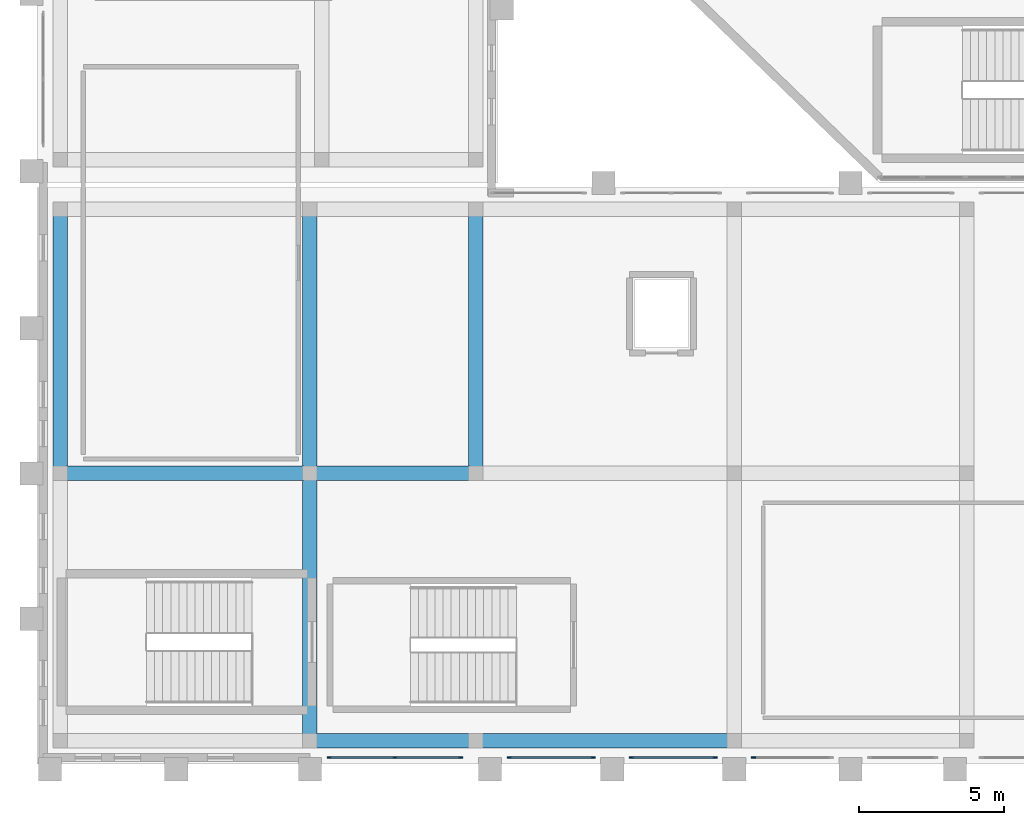
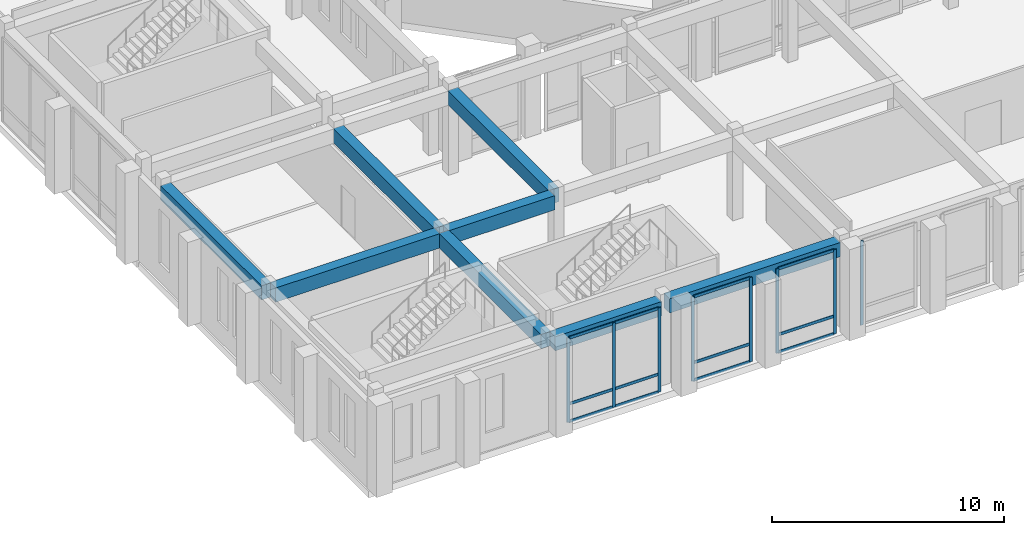
# One storey, part 3 of 79: 20 members, 8 beams, 4 elements without a shape of their own.
"""IFC4 building model written with IfcOpenShell, lengths in metres."""

from ifc_helpers import new_model, si_unit, derived_unit, direction, frame, origin, origin_2d, place, context, subcontext, project, spatial, rectangle, extrude, material, layer, layer_set, material_profile, profile_set, type_object, element, aggregate, save


model = new_model("IFC4")

# Units and contexts
model_context = context("Model", 3, precision=1e-05, world=origin(), true_north=direction((0.0, 1.0)))
body_context = subcontext(model_context, "Body", "Model", "MODEL_VIEW")
ifc_project = project(units=[si_unit("LENGTHUNIT", "METRE"), si_unit("AREAUNIT", "SQUARE_METRE"), si_unit("VOLUMEUNIT", "CUBIC_METRE"), si_unit("PLANEANGLEUNIT", "RADIAN"), si_unit("MASSUNIT", "GRAM", prefix="KILO"), derived_unit("THERMALTRANSMITTANCEUNIT", [(si_unit("MASSUNIT", "GRAM", prefix="KILO"), 1), (si_unit("TIMEUNIT", "SECOND"), -3), (si_unit("THERMODYNAMICTEMPERATUREUNIT", "KELVIN"), -1)])], contexts=[model_context])

# Site, building, storey
site_placement = place(None, origin())
site = spatial("IfcSite", under=ifc_project, at=site_placement, CompositionType="ELEMENT")
building_placement = place(site_placement, origin())
building = spatial("IfcBuilding", under=site, at=building_placement, Name="Valcora Ridge Arena", CompositionType="ELEMENT")
storey_placement = place(building_placement, frame((0.0, 0.0, 16.199951171875)))
storey = spatial("IfcBuildingStorey", under=building, at=storey_placement, Name="L03", CompositionType="ELEMENT", Elevation=16.199951171875)

# Beams
ifc_material_1 = material(Name="Concrete C40/50", Category="concrete")
ifc_material_profile_1 = material_profile(ifc_material_1, rectangle(XDim=0.5, YDim=0.75, at=origin_2d()), Name="RC 500x750")
ifc_profile_set_1 = profile_set([ifc_material_profile_1], Name="Concrete C40/50")
beam_type_1 = type_object("IfcBeamType", Name="TY-BEAM-B-RC500-X", PredefinedType="BEAM", material=ifc_profile_set_1)
beam_1_placement = place(storey_placement, frame((1.0, 10.0, 4.06494140625), z_axis=(1.0, 0.0, 0.0), x_axis=(0.0, 1.0, 0.0)))
element("IfcBeam", 1, at=beam_1_placement, inside=storey, type_object=beam_type_1, Name="B-RC500-X BEM-B-RC500-X-0075", PredefinedType="BEAM", context=body_context, shape_type="SweptSolid", body=[
    extrude(rectangle(XDim=0.5, YDim=0.75, at=origin_2d()), origin(), (0.0, 0.0, 1.0), 8.199951171875),
])
beam_2_placement = place(storey_placement, frame((9.60009765625, 10.0, 4.06494140625), z_axis=(1.0, 0.0, 0.0), x_axis=(0.0, 1.0, 0.0)))
element("IfcBeam", 2, at=beam_2_placement, inside=storey, type_object=beam_type_1, Name="B-RC500-X BEM-B-RC500-X-0076", PredefinedType="BEAM", context=body_context, shape_type="SweptSolid", body=[
    extrude(rectangle(XDim=0.5, YDim=0.75, at=origin_2d()), origin(), (0.0, 0.0, 1.0), 5.2998046875),
])
ifc_material_profile_2 = material_profile(ifc_material_1, rectangle(XDim=0.5, YDim=0.75, at=origin_2d()), Name="RC 500x750")
ifc_profile_set_2 = profile_set([ifc_material_profile_2], Name="Concrete C40/50")
beam_type_2 = type_object("IfcBeamType", Name="TY-BEAM-B-RC500-Y", PredefinedType="BEAM", material=ifc_profile_set_2)
beam_3_placement = place(storey_placement, frame((0.800048828125, 10.199951171875, 4.06494140625), z_axis=(0.0, 1.0, 0.0), x_axis=(-1.0, 0.0, 0.0)))
element("IfcBeam", 3, at=beam_3_placement, inside=storey, type_object=beam_type_2, Name="B-RC500-Y BEM-B-RC500-Y-0093", PredefinedType="BEAM", context=body_context, shape_type="SweptSolid", body=[
    extrude(rectangle(XDim=0.5, YDim=0.75, at=origin_2d()), origin(), (0.0, 0.0, 1.0), 8.699951171875),
])
beam_4_placement = place(storey_placement, frame((9.39990234375, 1.0, 4.06494140625), z_axis=(0.0, 1.0, 0.0), x_axis=(-1.0, 0.0, 0.0)))
element("IfcBeam", 4, at=beam_4_placement, inside=storey, type_object=beam_type_2, Name="B-RC500-Y BEM-B-RC500-Y-0096", PredefinedType="BEAM", context=body_context, shape_type="SweptSolid", body=[
    extrude(rectangle(XDim=0.5, YDim=0.75, at=origin_2d()), origin(), (0.0, 0.0, 1.0), 8.800048828125),
])
for number, where, z_axis, x_axis, name in (
    (5, (9.39990234375, 10.199951171875, 4.06494140625), (0.0, 1.0, 0.0), (-1.0, 0.0, 0.0), "B-RC500-Y BEM-B-RC500-Y-0097"),
    (6, (15.10009765625, 10.199951171875, 4.06494140625), (0.0, 1.0, 0.0), (-1.0, 0.0, 0.0), "B-RC500-Y BEM-B-RC500-Y-0100"),
):
    element("IfcBeam", number, at=place(storey_placement, frame(where, z_axis=z_axis, x_axis=x_axis)), inside=storey, type_object=beam_type_2, Name=name, PredefinedType="BEAM", context=body_context, shape_type="SweptSolid", body=[
        extrude(rectangle(XDim=0.5, YDim=0.75, at=origin_2d()), origin(), (0.0, 0.0, 1.0), 8.699951171875),
    ])
ifc_material_profile_3 = material_profile(ifc_material_1, rectangle(XDim=0.5, YDim=0.75, at=origin_2d()), Name="RC 500x750")
ifc_profile_set_3 = profile_set([ifc_material_profile_3], Name="Concrete C40/50")
beam_type_3 = type_object("IfcBeamType", Name="TY-BEAM-EB-RC500", PredefinedType="BEAM", material=ifc_profile_set_3)
beam_5_placement = place(storey_placement, frame((9.60009765625, 0.800048828125, 4.06494140625), z_axis=(1.0, 0.0, 0.0), x_axis=(0.0, 1.0, 0.0)))
element("IfcBeam", 7, at=beam_5_placement, inside=storey, type_object=beam_type_3, Name="EB-RC500 BEM-EB-RC500-0026", PredefinedType="BEAM", context=body_context, shape_type="SweptSolid", body=[
    extrude(rectangle(XDim=0.5, YDim=0.75, at=origin_2d()), origin(), (0.0, 0.0, 1.0), 5.2998046875),
])
beam_6_placement = place(storey_placement, frame((15.300048828125, 0.800048828125, 4.06494140625), z_axis=(1.0, 0.0, 0.0), x_axis=(0.0, 1.0, 0.0)))
element("IfcBeam", 8, at=beam_6_placement, inside=storey, type_object=beam_type_3, Name="EB-RC500 BEM-EB-RC500-0027", PredefinedType="BEAM", context=body_context, shape_type="SweptSolid", body=[
    extrude(rectangle(XDim=0.5, YDim=0.75, at=origin_2d()), origin(), (0.0, 0.0, 1.0), 8.5),
])

# Curtain wall, members
ifc_material_2 = material(Name="Anodised dark bronze architectural aluminium 6063-T6", Category="aluminium")
ifc_layer_1 = layer(ifc_material_2, 0.14990234375, Name="Anodised dark bronze architectural aluminium 6063-T6")
ifc_layer_set_1 = layer_set([ifc_layer_1], Name="Anodised dark bronze architectural aluminium 6063-T6")
curtain_wall_type_1 = type_object("IfcCurtainWallType", Name="TY-CURTAINWALL-CW-V4-CLUB-046X44", PredefinedType="NOTDEFINED", material=ifc_layer_set_1)
curtain_wall_1_placement = place(storey_placement, origin())
curtain_wall_1 = element("IfcCurtainWall", 9, at=curtain_wall_1_placement, inside=storey, type_object=curtain_wall_type_1, Name="CW-V4-CLUB-046X44 CW-0270", PredefinedType="NOTDEFINED")
ifc_material_profile_4 = material_profile(ifc_material_2, rectangle(XDim=0.050048828125, YDim=0.14990234375, at=origin_2d()), Name="ALU MULLION 50x150")
ifc_profile_set_4 = profile_set([ifc_material_profile_4], Name="Anodised dark bronze architectural aluminium 6063-T6")
member_type_1 = type_object("IfcMemberType", Name="TY-MEM-CWM-50x150", PredefinedType="MULLION", material=ifc_profile_set_4)
member_1_placement = place(storey_placement, frame((10.06494140625, 0.219970703125, 0.0), z_axis=(0.0, 0.0, 1.0), x_axis=(0.0, 1.0, 0.0)))
member_1 = element("IfcMember", 10, at=member_1_placement, type_object=member_type_1, Name="CW-0270/CWM-50x150/M00", PredefinedType="MULLION", context=body_context, shape_type="SweptSolid", body=[
    extrude(rectangle(XDim=0.050048828125, YDim=0.14990234375, at=origin_2d()), origin(), (0.0, 0.0, 1.0), 4.43994140625),
])
member_2_placement = place(storey_placement, frame((12.324951171875, 0.219970703125, 0.0), z_axis=(0.0, 0.0, 1.0), x_axis=(0.0, 1.0, 0.0)))
member_2 = element("IfcMember", 11, at=member_2_placement, type_object=member_type_1, Name="CW-0270/CWM-50x150/M01", PredefinedType="MULLION", context=body_context, shape_type="SweptSolid", body=[
    extrude(rectangle(XDim=0.050048828125, YDim=0.14990234375, at=origin_2d()), origin(), (0.0, 0.0, 1.0), 4.43994140625),
])
member_3_placement = place(storey_placement, frame((14.5849609375, 0.219970703125, 0.0), z_axis=(0.0, 0.0, 1.0), x_axis=(0.0, 1.0, 0.0)))
member_3 = element("IfcMember", 12, at=member_3_placement, type_object=member_type_1, Name="CW-0270/CWM-50x150/M02", PredefinedType="MULLION", context=body_context, shape_type="SweptSolid", body=[
    extrude(rectangle(XDim=0.050048828125, YDim=0.14990234375, at=origin_2d()), origin(), (0.0, 0.0, 1.0), 4.43994140625),
])

ifc_layer_2 = layer(ifc_material_2, 0.14990234375, Name="Anodised dark bronze architectural aluminium 6063-T6")
ifc_layer_set_2 = layer_set([ifc_layer_2], Name="Anodised dark bronze architectural aluminium 6063-T6")
curtain_wall_type_2 = type_object("IfcCurtainWallType", Name="TY-CURTAINWALL-CW-V4-CLUB-029X44", PredefinedType="NOTDEFINED", material=ifc_layer_set_2)
curtain_wall_2_placement = place(storey_placement, origin())
curtain_wall_2 = element("IfcCurtainWall", 13, at=curtain_wall_2_placement, inside=storey, type_object=curtain_wall_type_2, Name="CW-V4-CLUB-029X44 CW-0271", PredefinedType="NOTDEFINED")
member_4_placement = place(storey_placement, frame((16.264892578125, 0.219970703125, 0.0), z_axis=(0.0, 0.0, 1.0), x_axis=(0.0, 1.0, 0.0)))
member_4 = element("IfcMember", 14, at=member_4_placement, type_object=member_type_1, Name="CW-0271/CWM-50x150/M00", PredefinedType="MULLION", context=body_context, shape_type="SweptSolid", body=[
    extrude(rectangle(XDim=0.050048828125, YDim=0.14990234375, at=origin_2d()), origin(), (0.0, 0.0, 1.0), 4.43994140625),
])
member_5_placement = place(storey_placement, frame((19.135009765625, 0.219970703125, 0.0), z_axis=(0.0, 0.0, 1.0), x_axis=(0.0, 1.0, 0.0)))
member_5 = element("IfcMember", 15, at=member_5_placement, type_object=member_type_1, Name="CW-0271/CWM-50x150/M01", PredefinedType="MULLION", context=body_context, shape_type="SweptSolid", body=[
    extrude(rectangle(XDim=0.050048828125, YDim=0.14990234375, at=origin_2d()), origin(), (0.0, 0.0, 1.0), 4.43994140625),
])

curtain_wall_3_placement = place(storey_placement, origin())
curtain_wall_3 = element("IfcCurtainWall", 16, at=curtain_wall_3_placement, inside=storey, type_object=curtain_wall_type_2, Name="CW-V4-CLUB-029X44 CW-0272", PredefinedType="NOTDEFINED")
member_6_placement = place(storey_placement, frame((20.465087890625, 0.219970703125, 0.0), z_axis=(0.0, 0.0, 1.0), x_axis=(0.0, 1.0, 0.0)))
member_6 = element("IfcMember", 17, at=member_6_placement, type_object=member_type_1, Name="CW-0272/CWM-50x150/M00", PredefinedType="MULLION", context=body_context, shape_type="SweptSolid", body=[
    extrude(rectangle(XDim=0.050048828125, YDim=0.14990234375, at=origin_2d()), origin(), (0.0, 0.0, 1.0), 4.43994140625),
])
member_7_placement = place(storey_placement, frame((23.3349609375, 0.219970703125, 0.0), z_axis=(0.0, 0.0, 1.0), x_axis=(0.0, 1.0, 0.0)))
member_7 = element("IfcMember", 18, at=member_7_placement, type_object=member_type_1, Name="CW-0272/CWM-50x150/M01", PredefinedType="MULLION", context=body_context, shape_type="SweptSolid", body=[
    extrude(rectangle(XDim=0.050048828125, YDim=0.14990234375, at=origin_2d()), origin(), (0.0, 0.0, 1.0), 4.43994140625),
])

# Curtain wall, member
ifc_layer_3 = layer(ifc_material_2, 0.14990234375, Name="Anodised dark bronze architectural aluminium 6063-T6")
ifc_layer_set_3 = layer_set([ifc_layer_3], Name="Anodised dark bronze architectural aluminium 6063-T6")
curtain_wall_type_3 = type_object("IfcCurtainWallType", Name="TY-CURTAINWALL-CW-V4-CLUB-027X44", PredefinedType="NOTDEFINED", material=ifc_layer_set_3)
curtain_wall_4_placement = place(storey_placement, origin())
curtain_wall_4 = element("IfcCurtainWall", 19, at=curtain_wall_4_placement, inside=storey, type_object=curtain_wall_type_3, Name="CW-V4-CLUB-027X44 CW-0273", PredefinedType="NOTDEFINED")
member_8_placement = place(storey_placement, frame((24.6650390625, 0.219970703125, 0.0), z_axis=(0.0, 0.0, 1.0), x_axis=(0.0, 1.0, 0.0)))
member_8 = element("IfcMember", 20, at=member_8_placement, type_object=member_type_1, Name="CW-0273/CWM-50x150/M00", PredefinedType="MULLION", context=body_context, shape_type="SweptSolid", body=[
    extrude(rectangle(XDim=0.050048828125, YDim=0.14990234375, at=origin_2d()), origin(), (0.0, 0.0, 1.0), 4.43994140625),
])
aggregate(curtain_wall_4, [member_8])

# Member
ifc_material_profile_5 = material_profile(ifc_material_2, rectangle(XDim=0.050048828125, YDim=0.14990234375, at=origin_2d()), Name="ALU TRANSOM 50x150")
ifc_profile_set_5 = profile_set([ifc_material_profile_5], Name="Anodised dark bronze architectural aluminium 6063-T6")
member_type_2 = type_object("IfcMemberType", Name="TY-MEM-CWT-50x150", PredefinedType="USERDEFINED", material=ifc_profile_set_5)
member_9_placement = place(storey_placement, frame((10.090087890625, 0.219970703125, 0.025146484375), z_axis=(1.0, 0.0, 0.0), x_axis=(0.0, 1.0, 0.0)))
member_9 = element("IfcMember", 21, at=member_9_placement, type_object=member_type_2, Name="CW-0270/CWT-50x150/T00-00", ObjectType="TRANSOM", PredefinedType="USERDEFINED", context=body_context, shape_type="SweptSolid", body=[
    extrude(rectangle(XDim=0.050048828125, YDim=0.14990234375, at=origin_2d()), origin(), (0.0, 0.0, 1.0), 2.2099609375),
])

member_10_placement = place(storey_placement, frame((10.090087890625, 0.219970703125, 0.949951171875), z_axis=(1.0, 0.0, 0.0), x_axis=(0.0, 1.0, 0.0)))
member_10 = element("IfcMember", 22, at=member_10_placement, type_object=member_type_2, Name="CW-0270/CWT-50x150/T00-01", ObjectType="TRANSOM", PredefinedType="USERDEFINED", context=body_context, shape_type="SweptSolid", body=[
    extrude(rectangle(XDim=0.050048828125, YDim=0.14990234375, at=origin_2d()), origin(), (0.0, 0.0, 1.0), 2.2099609375),
])

member_11_placement = place(storey_placement, frame((10.090087890625, 0.219970703125, 4.4150390625), z_axis=(1.0, 0.0, 0.0), x_axis=(0.0, 1.0, 0.0)))
member_11 = element("IfcMember", 23, at=member_11_placement, type_object=member_type_2, Name="CW-0270/CWT-50x150/T00-02", ObjectType="TRANSOM", PredefinedType="USERDEFINED", context=body_context, shape_type="SweptSolid", body=[
    extrude(rectangle(XDim=0.050048828125, YDim=0.14990234375, at=origin_2d()), origin(), (0.0, 0.0, 1.0), 2.2099609375),
])

member_12_placement = place(storey_placement, frame((12.35009765625, 0.219970703125, 0.025146484375), z_axis=(1.0, 0.0, 0.0), x_axis=(0.0, 1.0, 0.0)))
member_12 = element("IfcMember", 24, at=member_12_placement, type_object=member_type_2, Name="CW-0270/CWT-50x150/T01-00", ObjectType="TRANSOM", PredefinedType="USERDEFINED", context=body_context, shape_type="SweptSolid", body=[
    extrude(rectangle(XDim=0.050048828125, YDim=0.14990234375, at=origin_2d()), origin(), (0.0, 0.0, 1.0), 2.2099609375),
])

member_13_placement = place(storey_placement, frame((12.35009765625, 0.219970703125, 0.949951171875), z_axis=(1.0, 0.0, 0.0), x_axis=(0.0, 1.0, 0.0)))
member_13 = element("IfcMember", 25, at=member_13_placement, type_object=member_type_2, Name="CW-0270/CWT-50x150/T01-01", ObjectType="TRANSOM", PredefinedType="USERDEFINED", context=body_context, shape_type="SweptSolid", body=[
    extrude(rectangle(XDim=0.050048828125, YDim=0.14990234375, at=origin_2d()), origin(), (0.0, 0.0, 1.0), 2.2099609375),
])

member_14_placement = place(storey_placement, frame((12.35009765625, 0.219970703125, 4.4150390625), z_axis=(1.0, 0.0, 0.0), x_axis=(0.0, 1.0, 0.0)))
member_14 = element("IfcMember", 26, at=member_14_placement, type_object=member_type_2, Name="CW-0270/CWT-50x150/T01-02", ObjectType="TRANSOM", PredefinedType="USERDEFINED", context=body_context, shape_type="SweptSolid", body=[
    extrude(rectangle(XDim=0.050048828125, YDim=0.14990234375, at=origin_2d()), origin(), (0.0, 0.0, 1.0), 2.2099609375),
])

aggregate(curtain_wall_1, [member_1, member_2, member_3, member_9, member_10, member_11, member_12, member_13, member_14])

member_15_placement = place(storey_placement, frame((16.2900390625, 0.219970703125, 0.025146484375), z_axis=(1.0, 0.0, 0.0), x_axis=(0.0, 1.0, 0.0)))
member_15 = element("IfcMember", 27, at=member_15_placement, type_object=member_type_2, Name="CW-0271/CWT-50x150/T00-00", ObjectType="TRANSOM", PredefinedType="USERDEFINED", context=body_context, shape_type="SweptSolid", body=[
    extrude(rectangle(XDim=0.050048828125, YDim=0.14990234375, at=origin_2d()), origin(), (0.0, 0.0, 1.0), 2.820068359375),
])

member_16_placement = place(storey_placement, frame((16.2900390625, 0.219970703125, 0.949951171875), z_axis=(1.0, 0.0, 0.0), x_axis=(0.0, 1.0, 0.0)))
member_16 = element("IfcMember", 28, at=member_16_placement, type_object=member_type_2, Name="CW-0271/CWT-50x150/T00-01", ObjectType="TRANSOM", PredefinedType="USERDEFINED", context=body_context, shape_type="SweptSolid", body=[
    extrude(rectangle(XDim=0.050048828125, YDim=0.14990234375, at=origin_2d()), origin(), (0.0, 0.0, 1.0), 2.820068359375),
])

member_17_placement = place(storey_placement, frame((16.2900390625, 0.219970703125, 4.4150390625), z_axis=(1.0, 0.0, 0.0), x_axis=(0.0, 1.0, 0.0)))
member_17 = element("IfcMember", 29, at=member_17_placement, type_object=member_type_2, Name="CW-0271/CWT-50x150/T00-02", ObjectType="TRANSOM", PredefinedType="USERDEFINED", context=body_context, shape_type="SweptSolid", body=[
    extrude(rectangle(XDim=0.050048828125, YDim=0.14990234375, at=origin_2d()), origin(), (0.0, 0.0, 1.0), 2.820068359375),
])

aggregate(curtain_wall_2, [member_4, member_5, member_15, member_16, member_17])

member_18_placement = place(storey_placement, frame((20.489990234375, 0.219970703125, 0.025146484375), z_axis=(1.0, 0.0, 0.0), x_axis=(0.0, 1.0, 0.0)))
member_18 = element("IfcMember", 30, at=member_18_placement, type_object=member_type_2, Name="CW-0272/CWT-50x150/T00-00", ObjectType="TRANSOM", PredefinedType="USERDEFINED", context=body_context, shape_type="SweptSolid", body=[
    extrude(rectangle(XDim=0.050048828125, YDim=0.14990234375, at=origin_2d()), origin(), (0.0, 0.0, 1.0), 2.820068359375),
])

member_19_placement = place(storey_placement, frame((20.489990234375, 0.219970703125, 0.949951171875), z_axis=(1.0, 0.0, 0.0), x_axis=(0.0, 1.0, 0.0)))
member_19 = element("IfcMember", 31, at=member_19_placement, type_object=member_type_2, Name="CW-0272/CWT-50x150/T00-01", ObjectType="TRANSOM", PredefinedType="USERDEFINED", context=body_context, shape_type="SweptSolid", body=[
    extrude(rectangle(XDim=0.050048828125, YDim=0.14990234375, at=origin_2d()), origin(), (0.0, 0.0, 1.0), 2.820068359375),
])

member_20_placement = place(storey_placement, frame((20.489990234375, 0.219970703125, 4.4150390625), z_axis=(1.0, 0.0, 0.0), x_axis=(0.0, 1.0, 0.0)))
member_20 = element("IfcMember", 32, at=member_20_placement, type_object=member_type_2, Name="CW-0272/CWT-50x150/T00-02", ObjectType="TRANSOM", PredefinedType="USERDEFINED", context=body_context, shape_type="SweptSolid", body=[
    extrude(rectangle(XDim=0.050048828125, YDim=0.14990234375, at=origin_2d()), origin(), (0.0, 0.0, 1.0), 2.820068359375),
])

aggregate(curtain_wall_3, [member_6, member_7, member_18, member_19, member_20])

save(model, "model.ifc")
